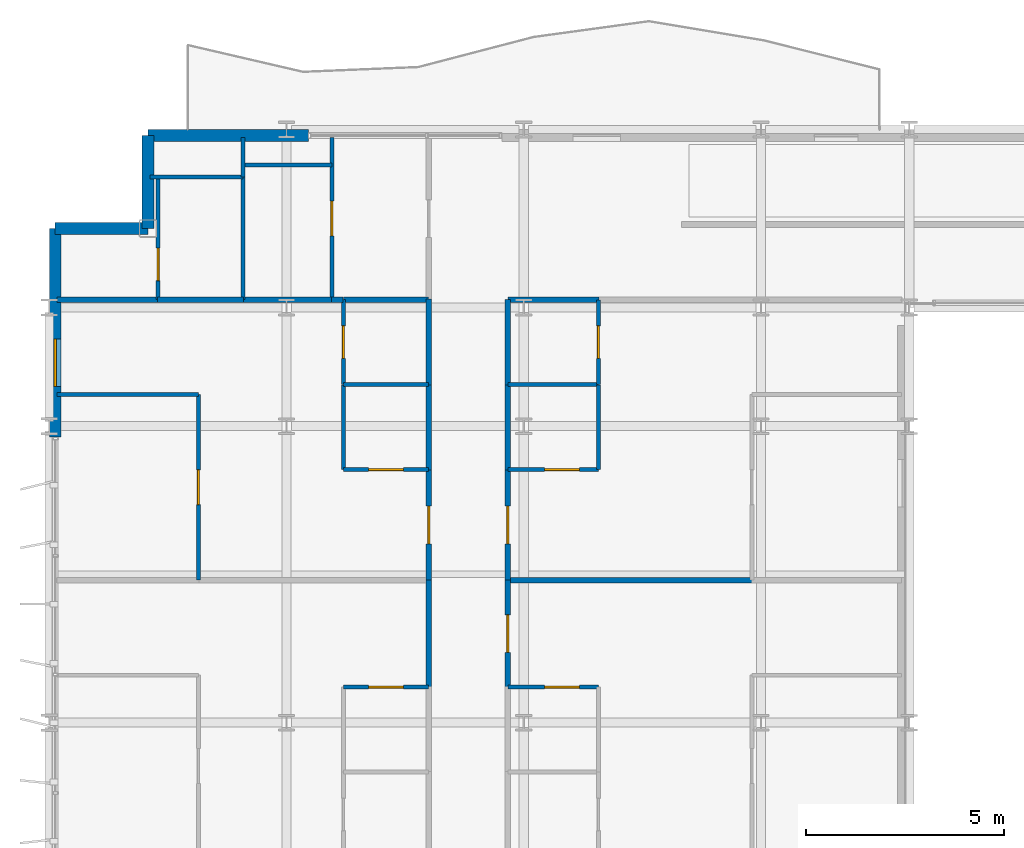
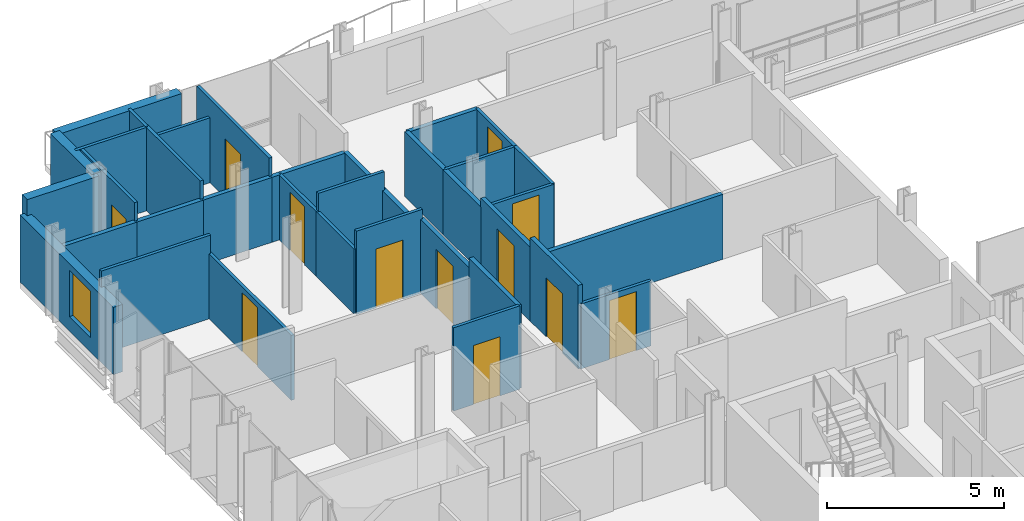
# One storey, part 29 of 39: 37 walls, 12 doors, 1 window, 13 openings.
"""IFC4 building model written with IfcOpenShell, lengths in metres."""

from ifc_helpers import new_model, si_unit, direction, frame, frame_2d, origin, place, context, subcontext, project, spatial, rectangle, extrude, material, layer, layer_set, type_object, element, fill, save


model = new_model("IFC4")

# Units and contexts
model_context = context("Model", 3, precision=1e-05, world=origin(), true_north=direction((0.0, 1.0)))
body_context = subcontext(model_context, "Body", "Model", "MODEL_VIEW")
ifc_project = project(units=[si_unit("LENGTHUNIT", "METRE"), si_unit("AREAUNIT", "SQUARE_METRE"), si_unit("VOLUMEUNIT", "CUBIC_METRE"), si_unit("PLANEANGLEUNIT", "RADIAN"), si_unit("MASSUNIT", "GRAM", prefix="KILO")], contexts=[model_context])

# Site, building, storey
site_placement = place(None, origin())
site = spatial("IfcSite", under=ifc_project, at=site_placement, CompositionType="ELEMENT")
building_placement = place(site_placement, origin())
building = spatial("IfcBuilding", under=site, at=building_placement, Name="Brevholm Reach", CompositionType="ELEMENT")
storey_placement = place(building_placement, frame((0.0, 0.0, 109.699951171875)))
storey = spatial("IfcBuildingStorey", under=building, at=storey_placement, Name="L32", CompositionType="ELEMENT", Elevation=109.699951171875)

# Walls
ifc_material_1 = material(Name="Concrete C40/50", Category="concrete")
ifc_layer_1 = layer(ifc_material_1, 0.300048828125)
ifc_layer_set_1 = layer_set([ifc_layer_1], Name="Concrete C40/50")
wall_type_1 = type_object("IfcWallType", Name="WAL-EXT-300", PredefinedType="STANDARD", material=ifc_layer_set_1)
for number, where, z_axis, x_axis, name in (
    (1, (2.5, 30.85009765625, 0.0), (0.0, 0.0, 1.0), (0.0, -1.0, 0.0), "L32 Facade Wall WAL-L32-CNW1"),
    (2, (2.5, 28.5, 0.0), (0.0, 0.0, 1.0), (-1.0, 0.0, 0.0), "L32 Facade Wall WAL-L32-CNW2"),
):
    element("IfcWall", number, at=place(storey_placement, frame(where, z_axis=z_axis, x_axis=x_axis)), inside=storey, type_object=wall_type_1, Name=name, PredefinedType="STANDARD", context=body_context, shape_type="SweptSolid", body=[
        extrude(rectangle(XDim=2.35009765625, YDim=0.300048828125, at=frame_2d((1.175048828125, 0.0))), origin(), (0.0, 0.0, 1.0), 2.880126953125),
    ])

# Wall, opening, window
wall_1_placement = place(storey_placement, frame((0.14990234375, 28.5, 0.0), z_axis=(0.0, 0.0, 1.0), x_axis=(0.0, -1.0, 0.0)))
wall_1 = element("IfcWall", 3, at=wall_1_placement, inside=storey, type_object=wall_type_1, Name="L32 Facade Wall WAL-L32-W-N", PredefinedType="STANDARD", context=body_context, shape_type="SweptSolid", body=[
    extrude(rectangle(XDim=5.280029296875, YDim=0.300048828125, at=frame_2d((2.64013671875, 0.0))), origin(), (0.0, 0.0, 1.0), 2.322021484375),
])
opening_1_placement = place(wall_1_placement, frame((2.800048828125, 0.0, 0.501953125)))
opening_1 = element("IfcOpeningElement", 4, at=opening_1_placement, cuts=wall_1, Name="Opening WN-08", PredefinedType="OPENING", context=body_context, shape_type="SweptSolid", body=[
    extrude(rectangle(XDim=1.199951171875, YDim=1.60009765625, at=frame_2d((0.60009765625, 0.800048828125))), frame((0.0, 0.159912109375, 0.0), z_axis=(0.0, -1.0, 0.0), x_axis=(1.0, 0.0, 0.0)), (0.0, 0.0, 1.0), 0.320068359375),
])
ifc_material_2 = material(Name="Dark Anodised Aluminium and Solar-Control IGU Glass", Category="aluminium")
window_type = type_object("IfcWindowType", Name="WIN-RES-1200", PartitioningType="SINGLE_PANEL", PredefinedType="WINDOW", material=ifc_material_2)
window_placement = place(opening_1_placement, origin())
window = element("IfcWindow", 5, at=window_placement, inside=storey, type_object=window_type, Name="L32 Window WIN-L32-WN-1", OverallHeight=1.60009765625, OverallWidth=1.199951171875, PartitioningType="SINGLE_PANEL", PredefinedType="WINDOW", context=body_context, shape_type="SweptSolid", body=[
    extrude(rectangle(XDim=1.199951171875, YDim=1.60009765625, at=frame_2d((0.60009765625, 0.800048828125))), frame((0.0, 0.030029296875, 0.0), z_axis=(0.0, -1.0, 0.0), x_axis=(1.0, 0.0, 0.0)), (0.0, 0.0, 1.0), 0.06005859375),
])
fill(opening_1, window)

# Wall
wall_2_placement = place(storey_placement, frame((2.5, 30.85009765625, 0.0), z_axis=(0.0, 0.0, 1.0), x_axis=(1.0, 0.0, 0.0)))
element("IfcWall", 6, at=wall_2_placement, inside=storey, type_object=wall_type_1, Name="L32 Facade Wall WAL-L32-NP-W0", PredefinedType="STANDARD", context=body_context, shape_type="SweptSolid", body=[
    extrude(rectangle(XDim=4.050048828125, YDim=0.300048828125, at=frame_2d((2.02490234375, 0.0))), origin(), (0.0, 0.0, 1.0), 2.880126953125),
])

# Wall, opening, door
ifc_material_3 = material(Name="Moisture-Resistant Acoustic Gypsum Stud Partition 100 mm", Category="gypsum")
ifc_layer_2 = layer(ifc_material_3, 0.10009765625)
ifc_layer_set_2 = layer_set([ifc_layer_2], Name="Moisture-Resistant Acoustic Gypsum Stud Partition 100 mm")
wall_type_2 = type_object("IfcWallType", Name="WAL-PRT-100", PredefinedType="PARTITIONING", material=ifc_layer_set_2)
wall_3_placement = place(storey_placement, frame((7.43798828125, 16.89990234375, 0.0), z_axis=(0.0, 0.0, 1.0), x_axis=(1.0, 0.0, 0.0)))
wall_3 = element("IfcWall", 7, at=wall_3_placement, inside=storey, type_object=wall_type_2, Name="L32 Internal Partition 094", PredefinedType="PARTITIONING", context=body_context, shape_type="SweptSolid", body=[
    extrude(rectangle(XDim=2.157958984375, YDim=0.10009765625, at=frame_2d((1.0791015625, 0.0))), origin(), (0.0, 0.0, 1.0), 2.880126953125),
])
opening_2_placement = place(wall_3_placement, frame((0.638916015625, 0.0, 0.0)))
opening_2 = element("IfcOpeningElement", 8, at=opening_2_placement, cuts=wall_3, Name="Opening ID-01", PredefinedType="OPENING", context=body_context, shape_type="SweptSolid", body=[
    extrude(rectangle(XDim=0.8798828125, YDim=2.0400390625, at=frame_2d((0.43994140625, 1.02001953125))), frame((0.0, 0.06005859375, 0.0), z_axis=(0.0, -1.0, 0.0), x_axis=(1.0, 0.0, 0.0)), (0.0, 0.0, 1.0), 0.1201171875),
])
ifc_material_4 = material(Name="Lacquered Ash Solid-Core Acoustic Internal Door", Category="timber")
door_type_1 = type_object("IfcDoorType", Name="DOR-INT-880", OperationType="NOTDEFINED", PredefinedType="DOOR", material=ifc_material_4)
door_1_placement = place(opening_2_placement, origin())
door_1 = element("IfcDoor", 9, at=door_1_placement, inside=storey, type_object=door_type_1, Name="L32 Internal Door 035", OperationType="SINGLE_SWING_LEFT", OverallHeight=2.0400390625, OverallWidth=0.8798828125, PredefinedType="DOOR", context=body_context, shape_type="SweptSolid", body=[
    extrude(rectangle(XDim=0.8798828125, YDim=2.0400390625, at=frame_2d((0.43994140625, 1.02001953125))), frame((0.0, 0.02490234375, 0.0), z_axis=(0.0, -1.0, 0.0), x_axis=(1.0, 0.0, 0.0)), (0.0, 0.0, 1.0), 0.050048828125),
])
fill(opening_2, door_1)

# Wall
wall_4_placement = place(storey_placement, frame((7.43798828125, 24.550048828125, 0.0), z_axis=(0.0, 0.0, 1.0), x_axis=(1.0, 0.0, 0.0)))
element("IfcWall", 10, at=wall_4_placement, inside=storey, type_object=wall_type_2, Name="L32 Internal Partition 100", PredefinedType="PARTITIONING", context=body_context, shape_type="SweptSolid", body=[
    extrude(rectangle(XDim=2.157958984375, YDim=0.10009765625, at=frame_2d((1.0791015625, 0.0))), origin(), (0.0, 0.0, 1.0), 2.880126953125),
])

# Wall, opening, door
wall_5_placement = place(storey_placement, frame((7.43798828125, 24.550048828125, 0.0), z_axis=(0.0, 0.0, 1.0), x_axis=(0.0, 1.0, 0.0)))
wall_5 = element("IfcWall", 11, at=wall_5_placement, inside=storey, type_object=wall_type_2, Name="L32 Internal Partition 101", PredefinedType="PARTITIONING", context=body_context, shape_type="SweptSolid", body=[
    extrude(rectangle(XDim=2.14990234375, YDim=0.10009765625, at=frame_2d((1.074951171875, 0.0))), origin(), (0.0, 0.0, 1.0), 2.242919921875),
])
opening_3_placement = place(wall_5_placement, frame((0.6650390625, 0.0, 0.0)))
opening_3 = element("IfcOpeningElement", 12, at=opening_3_placement, cuts=wall_5, Name="Opening ID-03", PredefinedType="OPENING", context=body_context, shape_type="SweptSolid", body=[
    extrude(rectangle(XDim=0.820068359375, YDim=2.02001953125, at=frame_2d((0.41015625, 1.010009765625))), frame((0.0, 0.06005859375, 0.0), z_axis=(0.0, -1.0, 0.0), x_axis=(1.0, 0.0, 0.0)), (0.0, 0.0, 1.0), 0.1201171875),
])
ifc_material_5 = material(Name="Moisture-Resistant Painted Timber Internal Bathroom Door", Category="wood")
door_type_2 = type_object("IfcDoorType", Name="DOR-BATH-820", OperationType="NOTDEFINED", PredefinedType="DOOR", material=ifc_material_5)
door_2_placement = place(opening_3_placement, origin())
door_2 = element("IfcDoor", 13, at=door_2_placement, inside=storey, type_object=door_type_2, Name="L32 Internal Door 037", OperationType="SINGLE_SWING_LEFT", OverallHeight=2.02001953125, OverallWidth=0.820068359375, PredefinedType="DOOR", context=body_context, shape_type="SweptSolid", body=[
    extrude(rectangle(XDim=0.820068359375, YDim=2.02001953125, at=frame_2d((0.41015625, 1.010009765625))), frame((0.0, 0.02490234375, 0.0), z_axis=(0.0, -1.0, 0.0), x_axis=(1.0, 0.0, 0.0)), (0.0, 0.0, 1.0), 0.050048828125),
])
fill(opening_3, door_2)

wall_6_placement = place(storey_placement, frame((7.43798828125, 22.39990234375, 0.0), z_axis=(0.0, 0.0, 1.0), x_axis=(1.0, 0.0, 0.0)))
wall_6 = element("IfcWall", 14, at=wall_6_placement, inside=storey, type_object=wall_type_2, Name="L32 Internal Partition 103", PredefinedType="PARTITIONING", context=body_context, shape_type="SweptSolid", body=[
    extrude(rectangle(XDim=2.157958984375, YDim=0.10009765625, at=frame_2d((1.0791015625, 0.0))), origin(), (0.0, 0.0, 1.0), 2.880126953125),
])
opening_4_placement = place(wall_6_placement, frame((0.638916015625, 0.0, 0.0)))
opening_4 = element("IfcOpeningElement", 15, at=opening_4_placement, cuts=wall_6, Name="Opening ID-01", PredefinedType="OPENING", context=body_context, shape_type="SweptSolid", body=[
    extrude(rectangle(XDim=0.8798828125, YDim=2.0400390625, at=frame_2d((0.43994140625, 1.02001953125))), frame((0.0, 0.06005859375, 0.0), z_axis=(0.0, -1.0, 0.0), x_axis=(1.0, 0.0, 0.0)), (0.0, 0.0, 1.0), 0.1201171875),
])
door_3_placement = place(opening_4_placement, origin())
door_3 = element("IfcDoor", 16, at=door_3_placement, inside=storey, type_object=door_type_1, Name="L32 Internal Door 038", OperationType="SINGLE_SWING_RIGHT", OverallHeight=2.0400390625, OverallWidth=0.8798828125, PredefinedType="DOOR", context=body_context, shape_type="SweptSolid", body=[
    extrude(rectangle(XDim=0.8798828125, YDim=2.0400390625, at=frame_2d((0.43994140625, 1.02001953125))), frame((0.0, 0.02490234375, 0.0), z_axis=(0.0, -1.0, 0.0), x_axis=(1.0, 0.0, 0.0)), (0.0, 0.0, 1.0), 0.050048828125),
])
fill(opening_4, door_3)

# Wall
wall_7_placement = place(storey_placement, frame((7.43798828125, 22.39990234375, 0.0), z_axis=(0.0, 0.0, 1.0), x_axis=(0.0, 1.0, 0.0)))
element("IfcWall", 17, at=wall_7_placement, inside=storey, type_object=wall_type_2, Name="L32 Internal Partition 104", PredefinedType="PARTITIONING", context=body_context, shape_type="SweptSolid", body=[
    extrude(rectangle(XDim=2.14599609375, YDim=0.10009765625, at=frame_2d((1.072998046875, 0.0))), origin(), (0.0, 0.0, 1.0), 2.242919921875),
])

# Wall, opening, door
wall_8_placement = place(storey_placement, frame((3.77197265625, 19.60400390625, 0.0), z_axis=(0.0, 0.0, 1.0), x_axis=(0.0, 1.0, 0.0)))
wall_8 = element("IfcWall", 18, at=wall_8_placement, inside=storey, type_object=wall_type_2, Name="L32 Internal Partition 105", PredefinedType="PARTITIONING", context=body_context, shape_type="SweptSolid", body=[
    extrude(rectangle(XDim=4.696044921875, YDim=0.10009765625, at=frame_2d((2.34814453125, 0.0))), origin(), (0.0, 0.0, 1.0), 2.242919921875),
])
opening_5_placement = place(wall_8_placement, frame((1.907958984375, 0.0, 0.0)))
opening_5 = element("IfcOpeningElement", 19, at=opening_5_placement, cuts=wall_8, Name="Opening ID-01", PredefinedType="OPENING", context=body_context, shape_type="SweptSolid", body=[
    extrude(rectangle(XDim=0.8798828125, YDim=2.0400390625, at=frame_2d((0.43994140625, 1.02001953125))), frame((0.0, 0.06005859375, 0.0), z_axis=(0.0, -1.0, 0.0), x_axis=(1.0, 0.0, 0.0)), (0.0, 0.0, 1.0), 0.1201171875),
])
door_4_placement = place(opening_5_placement, origin())
door_4 = element("IfcDoor", 20, at=door_4_placement, inside=storey, type_object=door_type_1, Name="L32 Internal Door 039", OperationType="SINGLE_SWING_LEFT", OverallHeight=2.0400390625, OverallWidth=0.8798828125, PredefinedType="DOOR", context=body_context, shape_type="SweptSolid", body=[
    extrude(rectangle(XDim=0.8798828125, YDim=2.0400390625, at=frame_2d((0.43994140625, 1.02001953125))), frame((0.0, 0.02490234375, 0.0), z_axis=(0.0, -1.0, 0.0), x_axis=(1.0, 0.0, 0.0)), (0.0, 0.0, 1.0), 0.050048828125),
])
fill(opening_5, door_4)

# Wall
wall_9_placement = place(storey_placement, frame((0.199951171875, 24.300048828125, 0.0), z_axis=(0.0, 0.0, 1.0), x_axis=(1.0, 0.0, 0.0)))
element("IfcWall", 21, at=wall_9_placement, inside=storey, type_object=wall_type_2, Name="L32 Internal Partition 106", PredefinedType="PARTITIONING", context=body_context, shape_type="SweptSolid", body=[
    extrude(rectangle(XDim=3.572021484375, YDim=0.10009765625, at=frame_2d((1.7861328125, 0.0))), origin(), (0.0, 0.0, 1.0), 2.880126953125),
])

# Wall, opening, door
wall_10_placement = place(storey_placement, frame((11.60400390625, 16.89990234375, 0.0), z_axis=(0.0, 0.0, 1.0), x_axis=(1.0, 0.0, 0.0)))
wall_10 = element("IfcWall", 22, at=wall_10_placement, inside=storey, type_object=wall_type_2, Name="L32 Internal Partition 114", PredefinedType="PARTITIONING", context=body_context, shape_type="SweptSolid", body=[
    extrude(rectangle(XDim=2.284912109375, YDim=0.10009765625, at=frame_2d((1.142578125, 0.0))), origin(), (0.0, 0.0, 1.0), 2.242919921875),
])
opening_6_placement = place(wall_10_placement, frame((0.922607421875, 0.0, 0.0)))
opening_6 = element("IfcOpeningElement", 23, at=opening_6_placement, cuts=wall_10, Name="Opening ID-01", PredefinedType="OPENING", context=body_context, shape_type="SweptSolid", body=[
    extrude(rectangle(XDim=0.8798828125, YDim=2.0400390625, at=frame_2d((0.43994140625, 1.02001953125))), frame((0.0, 0.06005859375, 0.0), z_axis=(0.0, -1.0, 0.0), x_axis=(1.0, 0.0, 0.0)), (0.0, 0.0, 1.0), 0.1201171875),
])
door_5_placement = place(opening_6_placement, origin())
door_5 = element("IfcDoor", 24, at=door_5_placement, inside=storey, type_object=door_type_1, Name="L32 Internal Door 041", OperationType="SINGLE_SWING_LEFT", OverallHeight=2.0400390625, OverallWidth=0.8798828125, PredefinedType="DOOR", context=body_context, shape_type="SweptSolid", body=[
    extrude(rectangle(XDim=0.8798828125, YDim=2.0400390625, at=frame_2d((0.43994140625, 1.02001953125))), frame((0.0, 0.02490234375, 0.0), z_axis=(0.0, -1.0, 0.0), x_axis=(1.0, 0.0, 0.0)), (0.0, 0.0, 1.0), 0.050048828125),
])
fill(opening_6, door_5)

# Wall
wall_11_placement = place(storey_placement, frame((11.60400390625, 24.550048828125, 0.0), z_axis=(0.0, 0.0, 1.0), x_axis=(1.0, 0.0, 0.0)))
element("IfcWall", 25, at=wall_11_placement, inside=storey, type_object=wall_type_2, Name="L32 Internal Partition 119", PredefinedType="PARTITIONING", context=body_context, shape_type="SweptSolid", body=[
    extrude(rectangle(XDim=2.284912109375, YDim=0.10009765625, at=frame_2d((1.142578125, 0.0))), origin(), (0.0, 0.0, 1.0), 2.242919921875),
])

# Wall, opening, door
wall_12_placement = place(storey_placement, frame((13.888916015625, 24.550048828125, 0.0), z_axis=(0.0, 0.0, 1.0), x_axis=(0.0, 1.0, 0.0)))
wall_12 = element("IfcWall", 26, at=wall_12_placement, inside=storey, type_object=wall_type_2, Name="L32 Internal Partition 120", PredefinedType="PARTITIONING", context=body_context, shape_type="SweptSolid", body=[
    extrude(rectangle(XDim=2.14599609375, YDim=0.10009765625, at=frame_2d((1.072998046875, 0.0))), origin(), (0.0, 0.0, 1.0), 2.242919921875),
])
opening_7_placement = place(wall_12_placement, frame((0.6630859375, 0.0, 0.0)))
opening_7 = element("IfcOpeningElement", 27, at=opening_7_placement, cuts=wall_12, Name="Opening ID-03", PredefinedType="OPENING", context=body_context, shape_type="SweptSolid", body=[
    extrude(rectangle(XDim=0.820068359375, YDim=2.02001953125, at=frame_2d((0.41015625, 1.010009765625))), frame((0.0, 0.06005859375, 0.0), z_axis=(0.0, -1.0, 0.0), x_axis=(1.0, 0.0, 0.0)), (0.0, 0.0, 1.0), 0.1201171875),
])
door_6_placement = place(opening_7_placement, origin())
door_6 = element("IfcDoor", 28, at=door_6_placement, inside=storey, type_object=door_type_2, Name="L32 Internal Door 043", OperationType="SINGLE_SWING_LEFT", OverallHeight=2.02001953125, OverallWidth=0.820068359375, PredefinedType="DOOR", context=body_context, shape_type="SweptSolid", body=[
    extrude(rectangle(XDim=0.820068359375, YDim=2.02001953125, at=frame_2d((0.41015625, 1.010009765625))), frame((0.0, 0.02490234375, 0.0), z_axis=(0.0, -1.0, 0.0), x_axis=(1.0, 0.0, 0.0)), (0.0, 0.0, 1.0), 0.050048828125),
])
fill(opening_7, door_6)

wall_13_placement = place(storey_placement, frame((11.60400390625, 22.39990234375, 0.0), z_axis=(0.0, 0.0, 1.0), x_axis=(1.0, 0.0, 0.0)))
wall_13 = element("IfcWall", 29, at=wall_13_placement, inside=storey, type_object=wall_type_2, Name="L32 Internal Partition 121", PredefinedType="PARTITIONING", context=body_context, shape_type="SweptSolid", body=[
    extrude(rectangle(XDim=2.284912109375, YDim=0.10009765625, at=frame_2d((1.142578125, 0.0))), origin(), (0.0, 0.0, 1.0), 2.242919921875),
])
opening_8_placement = place(wall_13_placement, frame((0.922607421875, 0.0, 0.0)))
opening_8 = element("IfcOpeningElement", 30, at=opening_8_placement, cuts=wall_13, Name="Opening ID-01", PredefinedType="OPENING", context=body_context, shape_type="SweptSolid", body=[
    extrude(rectangle(XDim=0.8798828125, YDim=2.0400390625, at=frame_2d((0.43994140625, 1.02001953125))), frame((0.0, 0.06005859375, 0.0), z_axis=(0.0, -1.0, 0.0), x_axis=(1.0, 0.0, 0.0)), (0.0, 0.0, 1.0), 0.1201171875),
])
door_7_placement = place(opening_8_placement, origin())
door_7 = element("IfcDoor", 31, at=door_7_placement, inside=storey, type_object=door_type_1, Name="L32 Internal Door 044", OperationType="SINGLE_SWING_RIGHT", OverallHeight=2.0400390625, OverallWidth=0.8798828125, PredefinedType="DOOR", context=body_context, shape_type="SweptSolid", body=[
    extrude(rectangle(XDim=0.8798828125, YDim=2.0400390625, at=frame_2d((0.43994140625, 1.02001953125))), frame((0.0, 0.02490234375, 0.0), z_axis=(0.0, -1.0, 0.0), x_axis=(1.0, 0.0, 0.0)), (0.0, 0.0, 1.0), 0.050048828125),
])
fill(opening_8, door_7)

# Walls
wall_14_placement = place(storey_placement, frame((13.888916015625, 22.39990234375, 0.0), z_axis=(0.0, 0.0, 1.0), x_axis=(0.0, 1.0, 0.0)))
element("IfcWall", 32, at=wall_14_placement, inside=storey, type_object=wall_type_2, Name="L32 Internal Partition 122", PredefinedType="PARTITIONING", context=body_context, shape_type="SweptSolid", body=[
    extrude(rectangle(XDim=2.14599609375, YDim=0.10009765625, at=frame_2d((1.072998046875, 0.0))), origin(), (0.0, 0.0, 1.0), 2.242919921875),
])
wall_15_placement = place(storey_placement, frame((4.89990234375, 26.7041015625, 0.0), z_axis=(0.0, 0.0, 1.0), x_axis=(0.0, 1.0, 0.0)))
element("IfcWall", 33, at=wall_15_placement, inside=storey, type_object=wall_type_2, Name="L32 Internal Partition 156", PredefinedType="PARTITIONING", context=body_context, shape_type="SweptSolid", body=[
    extrude(rectangle(XDim=3.095947265625, YDim=0.10009765625, at=frame_2d((1.5478515625, 0.0))), origin(), (0.0, 0.0, 1.0), 2.880126953125),
])
wall_16_placement = place(storey_placement, frame((2.550048828125, 29.800048828125, 0.0), z_axis=(0.0, 0.0, 1.0), x_axis=(1.0, 0.0, 0.0)))
element("IfcWall", 34, at=wall_16_placement, inside=storey, type_object=wall_type_2, Name="L32 Internal Partition 157", PredefinedType="PARTITIONING", context=body_context, shape_type="SweptSolid", body=[
    extrude(rectangle(XDim=2.349853515625, YDim=0.10009765625, at=frame_2d((1.1748046875, 0.0))), origin(), (0.0, 0.0, 1.0), 2.880126953125),
])

# Wall, opening, door
wall_17_placement = place(storey_placement, frame((2.75, 26.7041015625, 0.0), z_axis=(0.0, 0.0, 1.0), x_axis=(0.0, 1.0, 0.0)))
wall_17 = element("IfcWall", 35, at=wall_17_placement, inside=storey, type_object=wall_type_2, Name="L32 Internal Partition 158", PredefinedType="PARTITIONING", context=body_context, shape_type="SweptSolid", body=[
    extrude(rectangle(XDim=3.095947265625, YDim=0.10009765625, at=frame_2d((1.5478515625, 0.0))), origin(), (0.0, 0.0, 1.0), 2.880126953125),
])
opening_9_placement = place(wall_17_placement, frame((0.47802734375, 0.0, 0.0)))
opening_9 = element("IfcOpeningElement", 36, at=opening_9_placement, cuts=wall_17, Name="Opening ID-03", PredefinedType="OPENING", context=body_context, shape_type="SweptSolid", body=[
    extrude(rectangle(XDim=0.820068359375, YDim=2.02001953125, at=frame_2d((0.41015625, 1.010009765625))), frame((0.0, 0.06005859375, 0.0), z_axis=(0.0, -1.0, 0.0), x_axis=(1.0, 0.0, 0.0)), (0.0, 0.0, 1.0), 0.1201171875),
])
door_8_placement = place(opening_9_placement, origin())
door_8 = element("IfcDoor", 37, at=door_8_placement, inside=storey, type_object=door_type_2, Name="L32 Internal Door 058", OperationType="SINGLE_SWING_RIGHT", OverallHeight=2.02001953125, OverallWidth=0.820068359375, PredefinedType="DOOR", context=body_context, shape_type="SweptSolid", body=[
    extrude(rectangle(XDim=0.820068359375, YDim=2.02001953125, at=frame_2d((0.41015625, 1.010009765625))), frame((0.0, 0.02490234375, 0.0), z_axis=(0.0, -1.0, 0.0), x_axis=(1.0, 0.0, 0.0)), (0.0, 0.0, 1.0), 0.050048828125),
])
fill(opening_9, door_8)

wall_18_placement = place(storey_placement, frame((7.14990234375, 26.7041015625, 0.0), z_axis=(0.0, 0.0, 1.0), x_axis=(0.0, 1.0, 0.0)))
wall_18 = element("IfcWall", 38, at=wall_18_placement, inside=storey, type_object=wall_type_2, Name="L32 Internal Partition 159", PredefinedType="PARTITIONING", context=body_context, shape_type="SweptSolid", body=[
    extrude(rectangle(XDim=4.095947265625, YDim=0.10009765625, at=frame_2d((2.0478515625, 0.0))), origin(), (0.0, 0.0, 1.0), 2.880126953125),
])
opening_10_placement = place(wall_18_placement, frame((1.60791015625, 0.0, 0.0)))
opening_10 = element("IfcOpeningElement", 39, at=opening_10_placement, cuts=wall_18, Name="Opening ID-01", PredefinedType="OPENING", context=body_context, shape_type="SweptSolid", body=[
    extrude(rectangle(XDim=0.8798828125, YDim=2.0400390625, at=frame_2d((0.43994140625, 1.02001953125))), frame((0.0, 0.06005859375, 0.0), z_axis=(0.0, -1.0, 0.0), x_axis=(1.0, 0.0, 0.0)), (0.0, 0.0, 1.0), 0.1201171875),
])
door_9_placement = place(opening_10_placement, origin())
door_9 = element("IfcDoor", 40, at=door_9_placement, inside=storey, type_object=door_type_1, Name="L32 Internal Door 059", OperationType="SINGLE_SWING_LEFT", OverallHeight=2.0400390625, OverallWidth=0.8798828125, PredefinedType="DOOR", context=body_context, shape_type="SweptSolid", body=[
    extrude(rectangle(XDim=0.8798828125, YDim=2.0400390625, at=frame_2d((0.43994140625, 1.02001953125))), frame((0.0, 0.02490234375, 0.0), z_axis=(0.0, -1.0, 0.0), x_axis=(1.0, 0.0, 0.0)), (0.0, 0.0, 1.0), 0.050048828125),
])
fill(opening_10, door_9)

# Walls
wall_19_placement = place(storey_placement, frame((4.89990234375, 30.10009765625, 0.0), z_axis=(0.0, 0.0, 1.0), x_axis=(1.0, 0.0, 0.0)))
element("IfcWall", 41, at=wall_19_placement, inside=storey, type_object=wall_type_2, Name="L32 Internal Partition 160", PredefinedType="PARTITIONING", context=body_context, shape_type="SweptSolid", body=[
    extrude(rectangle(XDim=2.25, YDim=0.10009765625, at=frame_2d((1.125, 0.0))), origin(), (0.0, 0.0, 1.0), 2.242919921875),
])
wall_20_placement = place(storey_placement, frame((4.89990234375, 29.803955078125, 0.0), z_axis=(0.0, 0.0, 1.0), x_axis=(0.0, 1.0, 0.0)))
element("IfcWall", 42, at=wall_20_placement, inside=storey, type_object=wall_type_2, Name="L32 Internal Partition 161", PredefinedType="PARTITIONING", context=body_context, shape_type="SweptSolid", body=[
    extrude(rectangle(XDim=0.99609375, YDim=0.10009765625, at=frame_2d((0.498046875, 0.0))), origin(), (0.0, 0.0, 1.0), 2.880126953125),
])
ifc_material_6 = material(Name="Twin-Stud Acoustic Fire-Rated Gypsum Partition 140 mm", Category="gypsum")
ifc_layer_3 = layer(ifc_material_6, 0.139892578125)
ifc_layer_set_3 = layer_set([ifc_layer_3], Name="Twin-Stud Acoustic Fire-Rated Gypsum Partition 140 mm")
wall_type_3 = type_object("IfcWallType", Name="WAL-PRT-140", PredefinedType="PARTITIONING", material=ifc_layer_set_3)
wall_21_placement = place(storey_placement, frame((9.60009765625, 16.892578125, 0.0), z_axis=(0.0, 0.0, 1.0), x_axis=(0.0, 1.0, 0.0)))
element("IfcWall", 43, at=wall_21_placement, inside=storey, type_object=wall_type_3, Name="L32 Internal Partition 040", PredefinedType="PARTITIONING", context=body_context, shape_type="SweptSolid", body=[
    extrude(rectangle(XDim=2.71875, YDim=0.139892578125, at=frame_2d((1.359375, 0.0))), origin(), (0.0, 0.0, 1.0), 2.880126953125),
])
wall_22_placement = place(storey_placement, frame((9.60009765625, 24.538818359375, 0.0), z_axis=(0.0, 0.0, 1.0), x_axis=(0.0, 1.0, 0.0)))
element("IfcWall", 44, at=wall_22_placement, inside=storey, type_object=wall_type_3, Name="L32 Internal Partition 041", PredefinedType="PARTITIONING", context=body_context, shape_type="SweptSolid", body=[
    extrude(rectangle(XDim=2.17236328125, YDim=0.139892578125, at=frame_2d((1.086181640625, 0.0))), origin(), (0.0, 0.0, 1.0), 2.242919921875),
])
wall_23_placement = place(storey_placement, frame((9.60009765625, 22.388671875, 0.0), z_axis=(0.0, 0.0, 1.0), x_axis=(0.0, 1.0, 0.0)))
element("IfcWall", 45, at=wall_23_placement, inside=storey, type_object=wall_type_3, Name="L32 Internal Partition 042", PredefinedType="PARTITIONING", context=body_context, shape_type="SweptSolid", body=[
    extrude(rectangle(XDim=2.168701171875, YDim=0.139892578125, at=frame_2d((1.08447265625, 0.0))), origin(), (0.0, 0.0, 1.0), 2.242919921875),
])

# Wall, opening, door
wall_24_placement = place(storey_placement, frame((9.60009765625, 19.5927734375, 0.0), z_axis=(0.0, 0.0, 1.0), x_axis=(0.0, 1.0, 0.0)))
wall_24 = element("IfcWall", 46, at=wall_24_placement, inside=storey, type_object=wall_type_3, Name="L32 Internal Partition 043", PredefinedType="PARTITIONING", context=body_context, shape_type="SweptSolid", body=[
    extrude(rectangle(XDim=2.814453125, YDim=0.139892578125, at=frame_2d((1.4072265625, 0.0))), origin(), (0.0, 0.0, 1.0), 2.5517578125),
])
opening_11_placement = place(wall_24_placement, frame((0.932373046875, 0.0, 0.0)))
opening_11 = element("IfcOpeningElement", 47, at=opening_11_placement, cuts=wall_24, Name="Opening ID-30", PredefinedType="OPENING", context=body_context, shape_type="SweptSolid", body=[
    extrude(rectangle(XDim=0.949951171875, YDim=2.050048828125, at=frame_2d((0.47509765625, 1.02490234375))), frame((0.0, 0.079833984375, 0.0), z_axis=(0.0, -1.0, 0.0), x_axis=(1.0, 0.0, 0.0)), (0.0, 0.0, 1.0), 0.159912109375),
])
ifc_material_7 = material(Name="European Oak Veneered Solid-Core Fire Entrance Door", Category="timber")
door_type_3 = type_object("IfcDoorType", Name="DOR-FLT-FD30S", OperationType="NOTDEFINED", PredefinedType="DOOR", material=ifc_material_7)
door_10_placement = place(opening_11_placement, origin())
door_10 = element("IfcDoor", 48, at=door_10_placement, inside=storey, type_object=door_type_3, Name="L32 Internal Door 018", OperationType="SINGLE_SWING_RIGHT", OverallHeight=2.050048828125, OverallWidth=0.949951171875, PredefinedType="DOOR", context=body_context, shape_type="SweptSolid", body=[
    extrude(rectangle(XDim=0.949951171875, YDim=2.050048828125, at=frame_2d((0.47509765625, 1.02490234375))), frame((0.0, 0.02490234375, 0.0), z_axis=(0.0, -1.0, 0.0), x_axis=(1.0, 0.0, 0.0)), (0.0, 0.0, 1.0), 0.050048828125),
])
fill(opening_11, door_10)

wall_25_placement = place(storey_placement, frame((11.60009765625, 16.892578125, 0.0), z_axis=(0.0, 0.0, 1.0), x_axis=(0.0, 1.0, 0.0)))
wall_25 = element("IfcWall", 49, at=wall_25_placement, inside=storey, type_object=wall_type_3, Name="L32 Internal Partition 046", PredefinedType="PARTITIONING", context=body_context, shape_type="SweptSolid", body=[
    extrude(rectangle(XDim=2.71875, YDim=0.139892578125, at=frame_2d((1.359375, 0.0))), origin(), (0.0, 0.0, 1.0), 2.880126953125),
])
opening_12_placement = place(wall_25_placement, frame((0.88427734375, 0.0, 0.0)))
opening_12 = element("IfcOpeningElement", 50, at=opening_12_placement, cuts=wall_25, Name="Opening ID-30", PredefinedType="OPENING", context=body_context, shape_type="SweptSolid", body=[
    extrude(rectangle(XDim=0.949951171875, YDim=2.050048828125, at=frame_2d((0.47509765625, 1.02490234375))), frame((0.0, 0.079833984375, 0.0), z_axis=(0.0, -1.0, 0.0), x_axis=(1.0, 0.0, 0.0)), (0.0, 0.0, 1.0), 0.159912109375),
])
door_11_placement = place(opening_12_placement, origin())
door_11 = element("IfcDoor", 51, at=door_11_placement, inside=storey, type_object=door_type_3, Name="L32 Internal Door 019", OperationType="SINGLE_SWING_LEFT", OverallHeight=2.050048828125, OverallWidth=0.949951171875, PredefinedType="DOOR", context=body_context, shape_type="SweptSolid", body=[
    extrude(rectangle(XDim=0.949951171875, YDim=2.050048828125, at=frame_2d((0.47509765625, 1.02490234375))), frame((0.0, 0.02490234375, 0.0), z_axis=(0.0, -1.0, 0.0), x_axis=(1.0, 0.0, 0.0)), (0.0, 0.0, 1.0), 0.050048828125),
])
fill(opening_12, door_11)

# Walls
wall_26_placement = place(storey_placement, frame((11.60009765625, 24.538818359375, 0.0), z_axis=(0.0, 0.0, 1.0), x_axis=(0.0, 1.0, 0.0)))
element("IfcWall", 52, at=wall_26_placement, inside=storey, type_object=wall_type_3, Name="L32 Internal Partition 047", PredefinedType="PARTITIONING", context=body_context, shape_type="SweptSolid", body=[
    extrude(rectangle(XDim=2.16845703125, YDim=0.139892578125, at=frame_2d((1.084228515625, 0.0))), origin(), (0.0, 0.0, 1.0), 2.242919921875),
])
wall_27_placement = place(storey_placement, frame((11.60009765625, 22.388671875, 0.0), z_axis=(0.0, 0.0, 1.0), x_axis=(0.0, 1.0, 0.0)))
element("IfcWall", 53, at=wall_27_placement, inside=storey, type_object=wall_type_3, Name="L32 Internal Partition 048", PredefinedType="PARTITIONING", context=body_context, shape_type="SweptSolid", body=[
    extrude(rectangle(XDim=2.168701171875, YDim=0.139892578125, at=frame_2d((1.08447265625, 0.0))), origin(), (0.0, 0.0, 1.0), 2.242919921875),
])

# Wall, opening, door
wall_28_placement = place(storey_placement, frame((11.60009765625, 19.5927734375, 0.0), z_axis=(0.0, 0.0, 1.0), x_axis=(0.0, 1.0, 0.0)))
wall_28 = element("IfcWall", 54, at=wall_28_placement, inside=storey, type_object=wall_type_3, Name="L32 Internal Partition 049", PredefinedType="PARTITIONING", context=body_context, shape_type="SweptSolid", body=[
    extrude(rectangle(XDim=2.814453125, YDim=0.139892578125, at=frame_2d((1.4072265625, 0.0))), origin(), (0.0, 0.0, 1.0), 2.5517578125),
])
opening_13_placement = place(wall_28_placement, frame((0.932373046875, 0.0, 0.0)))
opening_13 = element("IfcOpeningElement", 55, at=opening_13_placement, cuts=wall_28, Name="Opening ID-30", PredefinedType="OPENING", context=body_context, shape_type="SweptSolid", body=[
    extrude(rectangle(XDim=0.949951171875, YDim=2.050048828125, at=frame_2d((0.47509765625, 1.02490234375))), frame((0.0, 0.079833984375, 0.0), z_axis=(0.0, -1.0, 0.0), x_axis=(1.0, 0.0, 0.0)), (0.0, 0.0, 1.0), 0.159912109375),
])
door_12_placement = place(opening_13_placement, origin())
door_12 = element("IfcDoor", 56, at=door_12_placement, inside=storey, type_object=door_type_3, Name="L32 Internal Door 020", OperationType="SINGLE_SWING_RIGHT", OverallHeight=2.050048828125, OverallWidth=0.949951171875, PredefinedType="DOOR", context=body_context, shape_type="SweptSolid", body=[
    extrude(rectangle(XDim=0.949951171875, YDim=2.050048828125, at=frame_2d((0.47509765625, 1.02490234375))), frame((0.0, 0.02490234375, 0.0), z_axis=(0.0, -1.0, 0.0), x_axis=(1.0, 0.0, 0.0)), (0.0, 0.0, 1.0), 0.050048828125),
])
fill(opening_13, door_12)

# Walls
wall_29_placement = place(storey_placement, frame((11.60400390625, 26.699951171875, 0.0), z_axis=(0.0, 0.0, 1.0), x_axis=(1.0, 0.0, 0.0)))
element("IfcWall", 57, at=wall_29_placement, inside=storey, type_object=wall_type_3, Name="L32 Internal Partition 062", PredefinedType="PARTITIONING", context=body_context, shape_type="SweptSolid", body=[
    extrude(rectangle(XDim=2.29638671875, YDim=0.139892578125, at=frame_2d((1.148193359375, 0.0))), origin(), (0.0, 0.0, 1.0), 2.242919921875),
])
wall_30_placement = place(storey_placement, frame((7.43798828125, 26.699951171875, 0.0), z_axis=(0.0, 0.0, 1.0), x_axis=(1.0, 0.0, 0.0)))
element("IfcWall", 58, at=wall_30_placement, inside=storey, type_object=wall_type_3, Name="L32 Internal Partition 102", PredefinedType="PARTITIONING", context=body_context, shape_type="SweptSolid", body=[
    extrude(rectangle(XDim=2.157958984375, YDim=0.139892578125, at=frame_2d((1.0791015625, 0.0))), origin(), (0.0, 0.0, 1.0), 2.242919921875),
])
wall_31_placement = place(storey_placement, frame((2.73876953125, 26.699951171875, 0.0), z_axis=(0.0, 0.0, 1.0), x_axis=(1.0, 0.0, 0.0)))
element("IfcWall", 59, at=wall_31_placement, inside=storey, type_object=wall_type_3, Name="L32 Internal Partition 107", PredefinedType="PARTITIONING", context=body_context, shape_type="SweptSolid", body=[
    extrude(rectangle(XDim=2.172607421875, YDim=0.139892578125, at=frame_2d((1.08642578125, 0.0))), origin(), (0.0, 0.0, 1.0), 2.242919921875),
])
wall_32_placement = place(storey_placement, frame((4.892578125, 26.699951171875, 0.0), z_axis=(0.0, 0.0, 1.0), x_axis=(1.0, 0.0, 0.0)))
element("IfcWall", 60, at=wall_32_placement, inside=storey, type_object=wall_type_3, Name="L32 Internal Partition 108", PredefinedType="PARTITIONING", context=body_context, shape_type="SweptSolid", body=[
    extrude(rectangle(XDim=2.268798828125, YDim=0.139892578125, at=frame_2d((1.13427734375, 0.0))), origin(), (0.0, 0.0, 1.0), 2.242919921875),
])
wall_33_placement = place(storey_placement, frame((7.142578125, 26.699951171875, 0.0), z_axis=(0.0, 0.0, 1.0), x_axis=(1.0, 0.0, 0.0)))
element("IfcWall", 61, at=wall_33_placement, inside=storey, type_object=wall_type_3, Name="L32 Internal Partition 109", PredefinedType="PARTITIONING", context=body_context, shape_type="SweptSolid", body=[
    extrude(rectangle(XDim=0.29150390625, YDim=0.139892578125, at=frame_2d((0.145751953125, 0.0))), origin(), (0.0, 0.0, 1.0), 2.242919921875),
])
wall_34_placement = place(storey_placement, frame((0.199951171875, 26.699951171875, 0.0), z_axis=(0.0, 0.0, 1.0), x_axis=(1.0, 0.0, 0.0)))
element("IfcWall", 62, at=wall_34_placement, inside=storey, type_object=wall_type_3, Name="L32 Internal Partition 110", PredefinedType="PARTITIONING", context=body_context, shape_type="SweptSolid", body=[
    extrude(rectangle(XDim=2.557373046875, YDim=0.139892578125, at=frame_2d((1.27880859375, 0.0))), origin(), (0.0, 0.0, 1.0), 2.242919921875),
])
wall_35_placement = place(storey_placement, frame((11.60400390625, 19.60009765625, 0.0), z_axis=(0.0, 0.0, 1.0), x_axis=(1.0, 0.0, 0.0)))
element("IfcWall", 63, at=wall_35_placement, inside=storey, type_object=wall_type_3, Name="L32 Internal Partition 118", PredefinedType="PARTITIONING", context=body_context, shape_type="SweptSolid", body=[
    extrude(rectangle(XDim=6.17236328125, YDim=0.139892578125, at=frame_2d((3.086181640625, 0.0))), origin(), (0.0, 0.0, 1.0), 2.242919921875),
])

save(model, "model.ifc")
